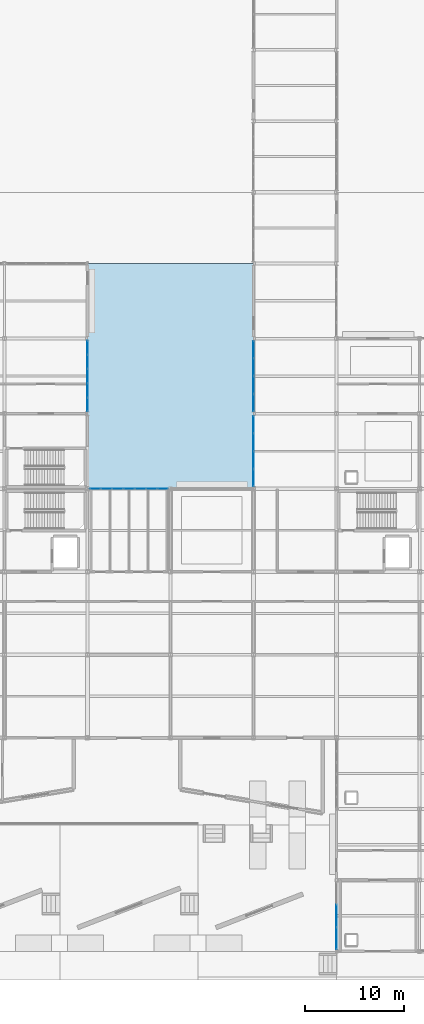
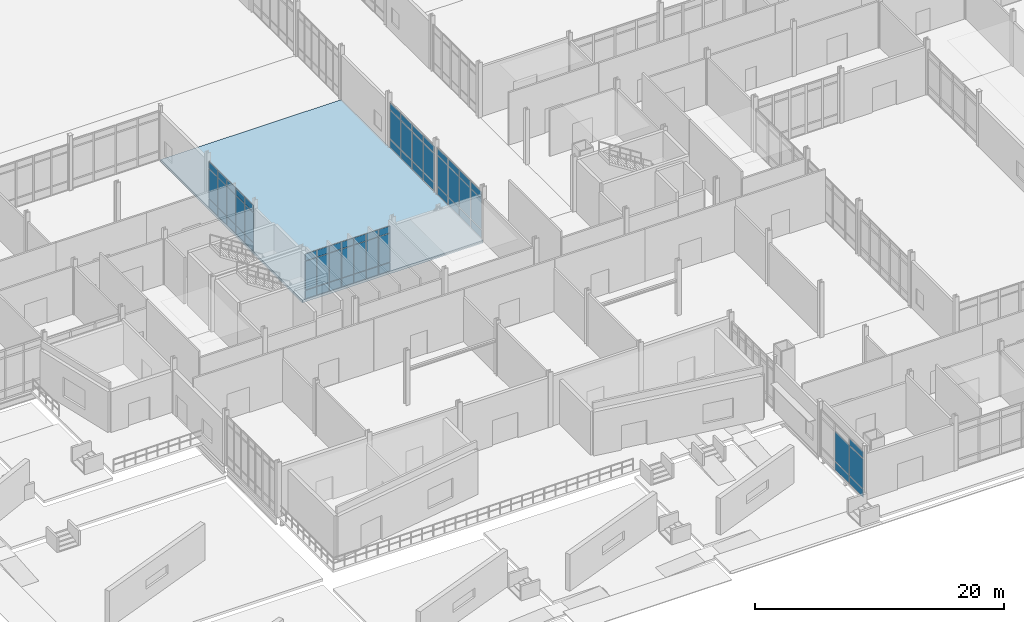
# One storey, part 140 of 229: 65 plates, 1 slab, 5 elements without a shape of their own.
"""IFC4 building model written with IfcOpenShell, lengths in metres."""

from ifc_helpers import new_model, si_unit, direction, frame, origin, origin_2d, place, context, subcontext, project, spatial, polyline, rectangle, outline, extrude, material, layer, layer_set, type_object, element, aggregate, save


model = new_model("IFC4")

# Units and contexts
model_context = context("Model", 3, precision=1e-05, world=origin(), true_north=direction((0.0, 1.0)))
body_context = subcontext(model_context, "Body", "Model", "MODEL_VIEW")
ifc_project = project(units=[si_unit("LENGTHUNIT", "METRE"), si_unit("AREAUNIT", "SQUARE_METRE"), si_unit("VOLUMEUNIT", "CUBIC_METRE"), si_unit("PLANEANGLEUNIT", "RADIAN"), si_unit("MASSUNIT", "GRAM", prefix="KILO")], contexts=[model_context])

# Site, building, storey
site_placement = place(None, origin())
site = spatial("IfcSite", under=ifc_project, at=site_placement, CompositionType="ELEMENT")
building_placement = place(site_placement, origin())
building = spatial("IfcBuilding", under=site, at=building_placement, Name="Calvrana Isthmian Art Gallery", CompositionType="ELEMENT")
storey_placement = place(building_placement, origin())
storey = spatial("IfcBuildingStorey", under=building, at=storey_placement, Name="L00", CompositionType="ELEMENT", Elevation=0.0)

# Curtain wall, plates
ifc_material_1 = material(Name="Anodized bronze aluminium 6063-T6", Category="aluminium")
ifc_layer_1 = layer(ifc_material_1, 0.179931640625, Name="Anodized bronze aluminium 6063-T6")
ifc_layer_set_1 = layer_set([ifc_layer_1], Name="Anodized bronze aluminium 6063-T6")
curtain_wall_type_1 = type_object("IfcCurtainWallType", Name="CW-STICK-080X45", PredefinedType="NOTDEFINED", material=ifc_layer_set_1)
curtain_wall_1_placement = place(storey_placement, origin())
curtain_wall_1 = element("IfcCurtainWall", 1, at=curtain_wall_1_placement, inside=storey, type_object=curtain_wall_type_1, Name="Curtain wall CW-020", PredefinedType="NOTDEFINED")
ifc_material_2 = material(Name="Polychrome glazed terracotta", Category="masonry")
ifc_layer_2 = layer(ifc_material_2, 0.033935546875, Name="Polychrome glazed terracotta")
ifc_layer_set_2 = layer_set([ifc_layer_2], Name="Polychrome glazed terracotta")
plate_type_1 = type_object("IfcPlateType", Name="CWP-SPANDREL-34", PredefinedType="CURTAIN_PANEL", material=ifc_layer_set_2)
plate_1_placement = place(storey_placement, frame((39.188232421875, 46.800048828125, 0.06005859375), z_axis=(0.0, 0.0, 1.0), x_axis=(1.0, 0.0, 0.0)))
plate_1 = element("IfcPlate", 2, at=plate_1_placement, type_object=plate_type_1, Name="CW-020 panel 1.1", PredefinedType="CURTAIN_PANEL", context=body_context, shape_type="SweptSolid", body=[
    extrude(rectangle(XDim=1.04541015625, YDim=0.033935546875, at=origin_2d()), origin(), (0.0, 0.0, 1.0), 0.81005859375),
])
plate_2_placement = place(storey_placement, frame((39.188232421875, 46.800048828125, 0.929931640625), z_axis=(0.0, 0.0, 1.0), x_axis=(1.0, 0.0, 0.0)))
plate_2 = element("IfcPlate", 3, at=plate_2_placement, type_object=plate_type_1, Name="CW-020 panel 1.2", PredefinedType="CURTAIN_PANEL", context=body_context, shape_type="SweptSolid", body=[
    extrude(rectangle(XDim=1.04541015625, YDim=0.033935546875, at=origin_2d()), origin(), (0.0, 0.0, 1.0), 2.80810546875),
])
plate_3_placement = place(storey_placement, frame((39.188232421875, 46.800048828125, 3.7978515625), z_axis=(0.0, 0.0, 1.0), x_axis=(1.0, 0.0, 0.0)))
plate_3 = element("IfcPlate", 4, at=plate_3_placement, type_object=plate_type_1, Name="CW-020 panel 1.3", PredefinedType="CURTAIN_PANEL", context=body_context, shape_type="SweptSolid", body=[
    extrude(rectangle(XDim=1.04541015625, YDim=0.033935546875, at=origin_2d()), origin(), (0.0, 0.0, 1.0), 0.659912109375),
])
plate_4_placement = place(storey_placement, frame((40.314697265625, 46.800048828125, 0.06005859375), z_axis=(0.0, 0.0, 1.0), x_axis=(1.0, 0.0, 0.0)))
plate_4 = element("IfcPlate", 5, at=plate_4_placement, type_object=plate_type_1, Name="CW-020 panel 2.1", PredefinedType="CURTAIN_PANEL", context=body_context, shape_type="SweptSolid", body=[
    extrude(rectangle(XDim=1.077880859375, YDim=0.033935546875, at=origin_2d()), origin(), (0.0, 0.0, 1.0), 0.81005859375),
])
plate_5_placement = place(storey_placement, frame((40.314697265625, 46.800048828125, 0.929931640625), z_axis=(0.0, 0.0, 1.0), x_axis=(1.0, 0.0, 0.0)))
plate_5 = element("IfcPlate", 6, at=plate_5_placement, type_object=plate_type_1, Name="CW-020 panel 2.2", PredefinedType="CURTAIN_PANEL", context=body_context, shape_type="SweptSolid", body=[
    extrude(rectangle(XDim=1.077880859375, YDim=0.033935546875, at=origin_2d()), origin(), (0.0, 0.0, 1.0), 2.80810546875),
])
plate_6_placement = place(storey_placement, frame((40.314697265625, 46.800048828125, 3.7978515625), z_axis=(0.0, 0.0, 1.0), x_axis=(1.0, 0.0, 0.0)))
plate_6 = element("IfcPlate", 7, at=plate_6_placement, type_object=plate_type_1, Name="CW-020 panel 2.3", PredefinedType="CURTAIN_PANEL", context=body_context, shape_type="SweptSolid", body=[
    extrude(rectangle(XDim=1.077880859375, YDim=0.033935546875, at=origin_2d()), origin(), (0.0, 0.0, 1.0), 0.659912109375),
])
plate_7_placement = place(storey_placement, frame((41.457763671875, 46.800048828125, 0.06005859375), z_axis=(0.0, 0.0, 1.0), x_axis=(1.0, 0.0, 0.0)))
plate_7 = element("IfcPlate", 8, at=plate_7_placement, type_object=plate_type_1, Name="CW-020 panel 3.1", PredefinedType="CURTAIN_PANEL", context=body_context, shape_type="SweptSolid", body=[
    extrude(rectangle(XDim=1.077880859375, YDim=0.033935546875, at=origin_2d()), origin(), (0.0, 0.0, 1.0), 0.81005859375),
])
plate_8_placement = place(storey_placement, frame((41.457763671875, 46.800048828125, 0.929931640625), z_axis=(0.0, 0.0, 1.0), x_axis=(1.0, 0.0, 0.0)))
plate_8 = element("IfcPlate", 9, at=plate_8_placement, type_object=plate_type_1, Name="CW-020 panel 3.2", PredefinedType="CURTAIN_PANEL", context=body_context, shape_type="SweptSolid", body=[
    extrude(rectangle(XDim=1.077880859375, YDim=0.033935546875, at=origin_2d()), origin(), (0.0, 0.0, 1.0), 2.80810546875),
])
plate_9_placement = place(storey_placement, frame((41.457763671875, 46.800048828125, 3.7978515625), z_axis=(0.0, 0.0, 1.0), x_axis=(1.0, 0.0, 0.0)))
plate_9 = element("IfcPlate", 10, at=plate_9_placement, type_object=plate_type_1, Name="CW-020 panel 3.3", PredefinedType="CURTAIN_PANEL", context=body_context, shape_type="SweptSolid", body=[
    extrude(rectangle(XDim=1.077880859375, YDim=0.033935546875, at=origin_2d()), origin(), (0.0, 0.0, 1.0), 0.659912109375),
])
plate_10_placement = place(storey_placement, frame((42.6005859375, 46.800048828125, 0.06005859375), z_axis=(0.0, 0.0, 1.0), x_axis=(1.0, 0.0, 0.0)))
plate_10 = element("IfcPlate", 11, at=plate_10_placement, type_object=plate_type_1, Name="CW-020 panel 4.1", PredefinedType="CURTAIN_PANEL", context=body_context, shape_type="SweptSolid", body=[
    extrude(rectangle(XDim=1.077880859375, YDim=0.033935546875, at=origin_2d()), origin(), (0.0, 0.0, 1.0), 0.81005859375),
])
plate_11_placement = place(storey_placement, frame((42.6005859375, 46.800048828125, 0.929931640625), z_axis=(0.0, 0.0, 1.0), x_axis=(1.0, 0.0, 0.0)))
plate_11 = element("IfcPlate", 12, at=plate_11_placement, type_object=plate_type_1, Name="CW-020 panel 4.2", PredefinedType="CURTAIN_PANEL", context=body_context, shape_type="SweptSolid", body=[
    extrude(rectangle(XDim=1.077880859375, YDim=0.033935546875, at=origin_2d()), origin(), (0.0, 0.0, 1.0), 2.80810546875),
])
plate_12_placement = place(storey_placement, frame((42.6005859375, 46.800048828125, 3.7978515625), z_axis=(0.0, 0.0, 1.0), x_axis=(1.0, 0.0, 0.0)))
plate_12 = element("IfcPlate", 13, at=plate_12_placement, type_object=plate_type_1, Name="CW-020 panel 4.3", PredefinedType="CURTAIN_PANEL", context=body_context, shape_type="SweptSolid", body=[
    extrude(rectangle(XDim=1.077880859375, YDim=0.033935546875, at=origin_2d()), origin(), (0.0, 0.0, 1.0), 0.659912109375),
])
plate_13_placement = place(storey_placement, frame((43.743408203125, 46.800048828125, 0.06005859375), z_axis=(0.0, 0.0, 1.0), x_axis=(1.0, 0.0, 0.0)))
plate_13 = element("IfcPlate", 14, at=plate_13_placement, type_object=plate_type_1, Name="CW-020 panel 5.1", PredefinedType="CURTAIN_PANEL", context=body_context, shape_type="SweptSolid", body=[
    extrude(rectangle(XDim=1.077880859375, YDim=0.033935546875, at=origin_2d()), origin(), (0.0, 0.0, 1.0), 0.81005859375),
])
plate_14_placement = place(storey_placement, frame((43.743408203125, 46.800048828125, 0.929931640625), z_axis=(0.0, 0.0, 1.0), x_axis=(1.0, 0.0, 0.0)))
plate_14 = element("IfcPlate", 15, at=plate_14_placement, type_object=plate_type_1, Name="CW-020 panel 5.2", PredefinedType="CURTAIN_PANEL", context=body_context, shape_type="SweptSolid", body=[
    extrude(rectangle(XDim=1.077880859375, YDim=0.033935546875, at=origin_2d()), origin(), (0.0, 0.0, 1.0), 2.80810546875),
])
plate_15_placement = place(storey_placement, frame((43.743408203125, 46.800048828125, 3.7978515625), z_axis=(0.0, 0.0, 1.0), x_axis=(1.0, 0.0, 0.0)))
plate_15 = element("IfcPlate", 16, at=plate_15_placement, type_object=plate_type_1, Name="CW-020 panel 5.3", PredefinedType="CURTAIN_PANEL", context=body_context, shape_type="SweptSolid", body=[
    extrude(rectangle(XDim=1.077880859375, YDim=0.033935546875, at=origin_2d()), origin(), (0.0, 0.0, 1.0), 0.659912109375),
])
plate_16_placement = place(storey_placement, frame((44.88623046875, 46.800048828125, 0.06005859375), z_axis=(0.0, 0.0, 1.0), x_axis=(1.0, 0.0, 0.0)))
plate_16 = element("IfcPlate", 17, at=plate_16_placement, type_object=plate_type_1, Name="CW-020 panel 6.1", PredefinedType="CURTAIN_PANEL", context=body_context, shape_type="SweptSolid", body=[
    extrude(rectangle(XDim=1.077880859375, YDim=0.033935546875, at=origin_2d()), origin(), (0.0, 0.0, 1.0), 0.81005859375),
])
plate_17_placement = place(storey_placement, frame((44.88623046875, 46.800048828125, 0.929931640625), z_axis=(0.0, 0.0, 1.0), x_axis=(1.0, 0.0, 0.0)))
plate_17 = element("IfcPlate", 18, at=plate_17_placement, type_object=plate_type_1, Name="CW-020 panel 6.2", PredefinedType="CURTAIN_PANEL", context=body_context, shape_type="SweptSolid", body=[
    extrude(rectangle(XDim=1.077880859375, YDim=0.033935546875, at=origin_2d()), origin(), (0.0, 0.0, 1.0), 2.80810546875),
])
plate_18_placement = place(storey_placement, frame((44.88623046875, 46.800048828125, 3.7978515625), z_axis=(0.0, 0.0, 1.0), x_axis=(1.0, 0.0, 0.0)))
plate_18 = element("IfcPlate", 19, at=plate_18_placement, type_object=plate_type_1, Name="CW-020 panel 6.3", PredefinedType="CURTAIN_PANEL", context=body_context, shape_type="SweptSolid", body=[
    extrude(rectangle(XDim=1.077880859375, YDim=0.033935546875, at=origin_2d()), origin(), (0.0, 0.0, 1.0), 0.659912109375),
])
plate_19_placement = place(storey_placement, frame((46.012939453125, 46.800048828125, 0.06005859375), z_axis=(0.0, 0.0, 1.0), x_axis=(1.0, 0.0, 0.0)))
plate_19 = element("IfcPlate", 20, at=plate_19_placement, type_object=plate_type_1, Name="CW-020 panel 7.1", PredefinedType="CURTAIN_PANEL", context=body_context, shape_type="SweptSolid", body=[
    extrude(rectangle(XDim=1.04541015625, YDim=0.033935546875, at=origin_2d()), origin(), (0.0, 0.0, 1.0), 0.81005859375),
])
plate_20_placement = place(storey_placement, frame((46.012939453125, 46.800048828125, 0.929931640625), z_axis=(0.0, 0.0, 1.0), x_axis=(1.0, 0.0, 0.0)))
plate_20 = element("IfcPlate", 21, at=plate_20_placement, type_object=plate_type_1, Name="CW-020 panel 7.2", PredefinedType="CURTAIN_PANEL", context=body_context, shape_type="SweptSolid", body=[
    extrude(rectangle(XDim=1.04541015625, YDim=0.033935546875, at=origin_2d()), origin(), (0.0, 0.0, 1.0), 2.80810546875),
])
plate_21_placement = place(storey_placement, frame((46.012939453125, 46.800048828125, 3.7978515625), z_axis=(0.0, 0.0, 1.0), x_axis=(1.0, 0.0, 0.0)))
plate_21 = element("IfcPlate", 22, at=plate_21_placement, type_object=plate_type_1, Name="CW-020 panel 7.3", PredefinedType="CURTAIN_PANEL", context=body_context, shape_type="SweptSolid", body=[
    extrude(rectangle(XDim=1.04541015625, YDim=0.033935546875, at=origin_2d()), origin(), (0.0, 0.0, 1.0), 0.659912109375),
])
aggregate(curtain_wall_1, [plate_1, plate_2, plate_3, plate_4, plate_5, plate_6, plate_7, plate_8, plate_9, plate_10, plate_11, plate_12, plate_13, plate_14, plate_15, plate_16, plate_17, plate_18, plate_19, plate_20, plate_21])

ifc_layer_3 = layer(ifc_material_1, 0.179931640625, Name="Anodized bronze aluminium 6063-T6")
ifc_layer_set_3 = layer_set([ifc_layer_3], Name="Anodized bronze aluminium 6063-T6")
curtain_wall_type_2 = type_object("IfcCurtainWallType", Name="CW-UNIT-072X46", PredefinedType="USERDEFINED", material=ifc_layer_set_3)
curtain_wall_2_placement = place(storey_placement, origin())
curtain_wall_2 = element("IfcCurtainWall", 23, at=curtain_wall_2_placement, inside=storey, type_object=curtain_wall_type_2, Name="Curtain wall CW-057", ObjectType="UNITISED CURTAIN WALL", PredefinedType="USERDEFINED")
ifc_material_3 = material(Name="Low-E laminated solar glass", Category="glass")
ifc_layer_4 = layer(ifc_material_3, 0.028076171875, Name="Low-E laminated solar glass")
ifc_layer_set_4 = layer_set([ifc_layer_4], Name="Low-E laminated solar glass")
plate_type_2 = type_object("IfcPlateType", Name="CWP-VISION-28", PredefinedType="CURTAIN_PANEL", material=ifc_layer_set_4)
plate_22_placement = place(storey_placement, frame((38.39990234375, 61.0810546875, 0.06494140625), z_axis=(0.0, 0.0, 1.0), x_axis=(0.0, -1.0, 0.0)))
plate_22 = element("IfcPlate", 24, at=plate_22_placement, type_object=plate_type_2, Name="CW-057 panel 1.1", PredefinedType="CURTAIN_PANEL", context=body_context, shape_type="SweptSolid", body=[
    extrude(rectangle(XDim=1.342041015625, YDim=0.028076171875, at=origin_2d()), origin(), (0.0, 0.0, 1.0), 0.802490234375),
])
plate_23_placement = place(storey_placement, frame((38.39990234375, 61.0810546875, 0.932373046875), z_axis=(0.0, 0.0, 1.0), x_axis=(0.0, -1.0, 0.0)))
plate_23 = element("IfcPlate", 25, at=plate_23_placement, type_object=plate_type_2, Name="CW-057 panel 1.2", PredefinedType="CURTAIN_PANEL", context=body_context, shape_type="SweptSolid", body=[
    extrude(rectangle(XDim=1.342041015625, YDim=0.028076171875, at=origin_2d()), origin(), (0.0, 0.0, 1.0), 2.89208984375),
])
plate_24_placement = place(storey_placement, frame((38.39990234375, 61.0810546875, 3.8896484375), z_axis=(0.0, 0.0, 1.0), x_axis=(0.0, -1.0, 0.0)))
plate_24 = element("IfcPlate", 26, at=plate_24_placement, type_object=plate_type_2, Name="CW-057 panel 1.3", PredefinedType="CURTAIN_PANEL", context=body_context, shape_type="SweptSolid", body=[
    extrude(rectangle(XDim=1.342041015625, YDim=0.028076171875, at=origin_2d()), origin(), (0.0, 0.0, 1.0), 0.652587890625),
])
plate_25_placement = place(storey_placement, frame((38.39990234375, 59.6513671875, 0.06494140625), z_axis=(0.0, 0.0, 1.0), x_axis=(0.0, -1.0, 0.0)))
plate_25 = element("IfcPlate", 27, at=plate_25_placement, type_object=plate_type_2, Name="CW-057 panel 2.1", PredefinedType="CURTAIN_PANEL", context=body_context, shape_type="SweptSolid", body=[
    extrude(rectangle(XDim=1.377197265625, YDim=0.028076171875, at=origin_2d()), origin(), (0.0, 0.0, 1.0), 0.802490234375),
])
plate_26_placement = place(storey_placement, frame((38.39990234375, 59.6513671875, 0.932373046875), z_axis=(0.0, 0.0, 1.0), x_axis=(0.0, -1.0, 0.0)))
plate_26 = element("IfcPlate", 28, at=plate_26_placement, type_object=plate_type_2, Name="CW-057 panel 2.2", PredefinedType="CURTAIN_PANEL", context=body_context, shape_type="SweptSolid", body=[
    extrude(rectangle(XDim=1.377197265625, YDim=0.028076171875, at=origin_2d()), origin(), (0.0, 0.0, 1.0), 2.89208984375),
])
plate_27_placement = place(storey_placement, frame((38.39990234375, 59.6513671875, 3.8896484375), z_axis=(0.0, 0.0, 1.0), x_axis=(0.0, -1.0, 0.0)))
plate_27 = element("IfcPlate", 29, at=plate_27_placement, type_object=plate_type_2, Name="CW-057 panel 2.3", PredefinedType="CURTAIN_PANEL", context=body_context, shape_type="SweptSolid", body=[
    extrude(rectangle(XDim=1.377197265625, YDim=0.028076171875, at=origin_2d()), origin(), (0.0, 0.0, 1.0), 0.652587890625),
])
plate_28_placement = place(storey_placement, frame((38.39990234375, 58.204345703125, 0.06494140625), z_axis=(0.0, 0.0, 1.0), x_axis=(0.0, -1.0, 0.0)))
plate_28 = element("IfcPlate", 30, at=plate_28_placement, type_object=plate_type_2, Name="CW-057 panel 3.1", PredefinedType="CURTAIN_PANEL", context=body_context, shape_type="SweptSolid", body=[
    extrude(rectangle(XDim=1.377197265625, YDim=0.028076171875, at=origin_2d()), origin(), (0.0, 0.0, 1.0), 0.802490234375),
])
plate_29_placement = place(storey_placement, frame((38.39990234375, 58.204345703125, 0.932373046875), z_axis=(0.0, 0.0, 1.0), x_axis=(0.0, -1.0, 0.0)))
plate_29 = element("IfcPlate", 31, at=plate_29_placement, type_object=plate_type_2, Name="CW-057 panel 3.2", PredefinedType="CURTAIN_PANEL", context=body_context, shape_type="SweptSolid", body=[
    extrude(rectangle(XDim=1.377197265625, YDim=0.028076171875, at=origin_2d()), origin(), (0.0, 0.0, 1.0), 2.89208984375),
])
plate_30_placement = place(storey_placement, frame((38.39990234375, 58.204345703125, 3.8896484375), z_axis=(0.0, 0.0, 1.0), x_axis=(0.0, -1.0, 0.0)))
plate_30 = element("IfcPlate", 32, at=plate_30_placement, type_object=plate_type_2, Name="CW-057 panel 3.3", PredefinedType="CURTAIN_PANEL", context=body_context, shape_type="SweptSolid", body=[
    extrude(rectangle(XDim=1.377197265625, YDim=0.028076171875, at=origin_2d()), origin(), (0.0, 0.0, 1.0), 0.652587890625),
])
plate_31_placement = place(storey_placement, frame((38.39990234375, 56.757080078125, 0.06494140625), z_axis=(0.0, 0.0, 1.0), x_axis=(0.0, -1.0, 0.0)))
plate_31 = element("IfcPlate", 33, at=plate_31_placement, type_object=plate_type_2, Name="CW-057 panel 4.1", PredefinedType="CURTAIN_PANEL", context=body_context, shape_type="SweptSolid", body=[
    extrude(rectangle(XDim=1.377197265625, YDim=0.028076171875, at=origin_2d()), origin(), (0.0, 0.0, 1.0), 0.802490234375),
])
plate_32_placement = place(storey_placement, frame((38.39990234375, 56.757080078125, 0.932373046875), z_axis=(0.0, 0.0, 1.0), x_axis=(0.0, -1.0, 0.0)))
plate_32 = element("IfcPlate", 34, at=plate_32_placement, type_object=plate_type_2, Name="CW-057 panel 4.2", PredefinedType="CURTAIN_PANEL", context=body_context, shape_type="SweptSolid", body=[
    extrude(rectangle(XDim=1.377197265625, YDim=0.028076171875, at=origin_2d()), origin(), (0.0, 0.0, 1.0), 2.89208984375),
])
plate_33_placement = place(storey_placement, frame((38.39990234375, 56.757080078125, 3.8896484375), z_axis=(0.0, 0.0, 1.0), x_axis=(0.0, -1.0, 0.0)))
plate_33 = element("IfcPlate", 35, at=plate_33_placement, type_object=plate_type_2, Name="CW-057 panel 4.3", PredefinedType="CURTAIN_PANEL", context=body_context, shape_type="SweptSolid", body=[
    extrude(rectangle(XDim=1.377197265625, YDim=0.028076171875, at=origin_2d()), origin(), (0.0, 0.0, 1.0), 0.652587890625),
])
plate_34_placement = place(storey_placement, frame((38.39990234375, 55.32763671875, 0.06494140625), z_axis=(0.0, 0.0, 1.0), x_axis=(0.0, -1.0, 0.0)))
plate_34 = element("IfcPlate", 36, at=plate_34_placement, type_object=plate_type_2, Name="CW-057 panel 5.1", PredefinedType="CURTAIN_PANEL", context=body_context, shape_type="SweptSolid", body=[
    extrude(rectangle(XDim=1.342041015625, YDim=0.028076171875, at=origin_2d()), origin(), (0.0, 0.0, 1.0), 0.802490234375),
])
plate_35_placement = place(storey_placement, frame((38.39990234375, 55.32763671875, 0.932373046875), z_axis=(0.0, 0.0, 1.0), x_axis=(0.0, -1.0, 0.0)))
plate_35 = element("IfcPlate", 37, at=plate_35_placement, type_object=plate_type_2, Name="CW-057 panel 5.2", PredefinedType="CURTAIN_PANEL", context=body_context, shape_type="SweptSolid", body=[
    extrude(rectangle(XDim=1.342041015625, YDim=0.028076171875, at=origin_2d()), origin(), (0.0, 0.0, 1.0), 2.89208984375),
])
plate_36_placement = place(storey_placement, frame((38.39990234375, 55.32763671875, 3.8896484375), z_axis=(0.0, 0.0, 1.0), x_axis=(0.0, -1.0, 0.0)))
plate_36 = element("IfcPlate", 38, at=plate_36_placement, type_object=plate_type_2, Name="CW-057 panel 5.3", PredefinedType="CURTAIN_PANEL", context=body_context, shape_type="SweptSolid", body=[
    extrude(rectangle(XDim=1.342041015625, YDim=0.028076171875, at=origin_2d()), origin(), (0.0, 0.0, 1.0), 0.652587890625),
])
aggregate(curtain_wall_2, [plate_22, plate_23, plate_24, plate_25, plate_26, plate_27, plate_28, plate_29, plate_30, plate_31, plate_32, plate_33, plate_34, plate_35, plate_36])

ifc_layer_5 = layer(ifc_material_1, 0.179931640625, Name="Anodized bronze aluminium 6063-T6")
ifc_layer_set_5 = layer_set([ifc_layer_5], Name="Anodized bronze aluminium 6063-T6")
curtain_wall_type_3 = type_object("IfcCurtainWallType", Name="CW-STICK-072X47", PredefinedType="NOTDEFINED", material=ifc_layer_set_5)
curtain_wall_3_placement = place(storey_placement, origin())
curtain_wall_3 = element("IfcCurtainWall", 39, at=curtain_wall_3_placement, inside=storey, type_object=curtain_wall_type_3, Name="Curtain wall CW-058", PredefinedType="NOTDEFINED")
plate_37_placement = place(storey_placement, frame((55.199951171875, 47.923583984375, 0.070068359375), z_axis=(0.0, 0.0, 1.0), x_axis=(0.0, 1.0, 0.0)))
plate_37 = element("IfcPlate", 40, at=plate_37_placement, type_object=plate_type_2, Name="CW-058 panel 1.1", PredefinedType="CURTAIN_PANEL", context=body_context, shape_type="SweptSolid", body=[
    extrude(rectangle(XDim=1.69140625, YDim=0.028076171875, at=origin_2d()), origin(), (0.0, 0.0, 1.0), 0.794921875),
])
plate_38_placement = place(storey_placement, frame((55.199951171875, 47.923583984375, 0.93505859375), z_axis=(0.0, 0.0, 1.0), x_axis=(0.0, 1.0, 0.0)))
plate_38 = element("IfcPlate", 41, at=plate_38_placement, type_object=plate_type_2, Name="CW-058 panel 1.2", PredefinedType="CURTAIN_PANEL", context=body_context, shape_type="SweptSolid", body=[
    extrude(rectangle(XDim=1.69140625, YDim=0.028076171875, at=origin_2d()), origin(), (0.0, 0.0, 1.0), 2.9580078125),
])
plate_39_placement = place(storey_placement, frame((55.199951171875, 47.923583984375, 3.962890625), z_axis=(0.0, 0.0, 1.0), x_axis=(0.0, 1.0, 0.0)))
plate_39 = element("IfcPlate", 42, at=plate_39_placement, type_object=plate_type_2, Name="CW-058 panel 1.3", PredefinedType="CURTAIN_PANEL", context=body_context, shape_type="SweptSolid", body=[
    extrude(rectangle(XDim=1.69140625, YDim=0.028076171875, at=origin_2d()), origin(), (0.0, 0.0, 1.0), 0.64501953125),
])
plate_40_placement = place(storey_placement, frame((55.199951171875, 49.708740234375, 0.070068359375), z_axis=(0.0, 0.0, 1.0), x_axis=(0.0, 1.0, 0.0)))
plate_40 = element("IfcPlate", 43, at=plate_40_placement, type_object=plate_type_2, Name="CW-058 panel 2.1", PredefinedType="CURTAIN_PANEL", context=body_context, shape_type="SweptSolid", body=[
    extrude(rectangle(XDim=1.728759765625, YDim=0.028076171875, at=origin_2d()), origin(), (0.0, 0.0, 1.0), 0.794921875),
])
plate_41_placement = place(storey_placement, frame((55.199951171875, 49.708740234375, 0.93505859375), z_axis=(0.0, 0.0, 1.0), x_axis=(0.0, 1.0, 0.0)))
plate_41 = element("IfcPlate", 44, at=plate_41_placement, type_object=plate_type_2, Name="CW-058 panel 2.2", PredefinedType="CURTAIN_PANEL", context=body_context, shape_type="SweptSolid", body=[
    extrude(rectangle(XDim=1.728759765625, YDim=0.028076171875, at=origin_2d()), origin(), (0.0, 0.0, 1.0), 2.9580078125),
])
plate_42_placement = place(storey_placement, frame((55.199951171875, 49.708740234375, 3.962890625), z_axis=(0.0, 0.0, 1.0), x_axis=(0.0, 1.0, 0.0)))
plate_42 = element("IfcPlate", 45, at=plate_42_placement, type_object=plate_type_2, Name="CW-058 panel 2.3", PredefinedType="CURTAIN_PANEL", context=body_context, shape_type="SweptSolid", body=[
    extrude(rectangle(XDim=1.728759765625, YDim=0.028076171875, at=origin_2d()), origin(), (0.0, 0.0, 1.0), 0.64501953125),
])
plate_43_placement = place(storey_placement, frame((55.199951171875, 51.5126953125, 0.070068359375), z_axis=(0.0, 0.0, 1.0), x_axis=(0.0, 1.0, 0.0)))
plate_43 = element("IfcPlate", 46, at=plate_43_placement, type_object=plate_type_2, Name="CW-058 panel 3.1", PredefinedType="CURTAIN_PANEL", context=body_context, shape_type="SweptSolid", body=[
    extrude(rectangle(XDim=1.728759765625, YDim=0.028076171875, at=origin_2d()), origin(), (0.0, 0.0, 1.0), 0.794921875),
])
plate_44_placement = place(storey_placement, frame((55.199951171875, 51.5126953125, 0.93505859375), z_axis=(0.0, 0.0, 1.0), x_axis=(0.0, 1.0, 0.0)))
plate_44 = element("IfcPlate", 47, at=plate_44_placement, type_object=plate_type_2, Name="CW-058 panel 3.2", PredefinedType="CURTAIN_PANEL", context=body_context, shape_type="SweptSolid", body=[
    extrude(rectangle(XDim=1.728759765625, YDim=0.028076171875, at=origin_2d()), origin(), (0.0, 0.0, 1.0), 2.9580078125),
])
plate_45_placement = place(storey_placement, frame((55.199951171875, 51.5126953125, 3.962890625), z_axis=(0.0, 0.0, 1.0), x_axis=(0.0, 1.0, 0.0)))
plate_45 = element("IfcPlate", 48, at=plate_45_placement, type_object=plate_type_2, Name="CW-058 panel 3.3", PredefinedType="CURTAIN_PANEL", context=body_context, shape_type="SweptSolid", body=[
    extrude(rectangle(XDim=1.728759765625, YDim=0.028076171875, at=origin_2d()), origin(), (0.0, 0.0, 1.0), 0.64501953125),
])
plate_46_placement = place(storey_placement, frame((55.199951171875, 53.2978515625, 0.070068359375), z_axis=(0.0, 0.0, 1.0), x_axis=(0.0, 1.0, 0.0)))
plate_46 = element("IfcPlate", 49, at=plate_46_placement, type_object=plate_type_2, Name="CW-058 panel 4.1", PredefinedType="CURTAIN_PANEL", context=body_context, shape_type="SweptSolid", body=[
    extrude(rectangle(XDim=1.69140625, YDim=0.028076171875, at=origin_2d()), origin(), (0.0, 0.0, 1.0), 0.794921875),
])
plate_47_placement = place(storey_placement, frame((55.199951171875, 53.2978515625, 0.93505859375), z_axis=(0.0, 0.0, 1.0), x_axis=(0.0, 1.0, 0.0)))
plate_47 = element("IfcPlate", 50, at=plate_47_placement, type_object=plate_type_2, Name="CW-058 panel 4.2", PredefinedType="CURTAIN_PANEL", context=body_context, shape_type="SweptSolid", body=[
    extrude(rectangle(XDim=1.69140625, YDim=0.028076171875, at=origin_2d()), origin(), (0.0, 0.0, 1.0), 2.9580078125),
])
plate_48_placement = place(storey_placement, frame((55.199951171875, 53.2978515625, 3.962890625), z_axis=(0.0, 0.0, 1.0), x_axis=(0.0, 1.0, 0.0)))
plate_48 = element("IfcPlate", 51, at=plate_48_placement, type_object=plate_type_2, Name="CW-058 panel 4.3", PredefinedType="CURTAIN_PANEL", context=body_context, shape_type="SweptSolid", body=[
    extrude(rectangle(XDim=1.69140625, YDim=0.028076171875, at=origin_2d()), origin(), (0.0, 0.0, 1.0), 0.64501953125),
])
aggregate(curtain_wall_3, [plate_37, plate_38, plate_39, plate_40, plate_41, plate_42, plate_43, plate_44, plate_45, plate_46, plate_47, plate_48])

ifc_layer_6 = layer(ifc_material_1, 0.179931640625, Name="Anodized bronze aluminium 6063-T6")
ifc_layer_set_6 = layer_set([ifc_layer_6], Name="Anodized bronze aluminium 6063-T6")
curtain_wall_type_4 = type_object("IfcCurtainWallType", Name="CW-STICK-072X45", PredefinedType="NOTDEFINED", material=ifc_layer_set_6)
curtain_wall_4_placement = place(storey_placement, origin())
curtain_wall_4 = element("IfcCurtainWall", 52, at=curtain_wall_4_placement, inside=storey, type_object=curtain_wall_type_4, Name="Curtain wall CW-059", PredefinedType="NOTDEFINED")
plate_49_placement = place(storey_placement, frame((55.199951171875, 55.505859375, 0.074951171875), z_axis=(0.0, 0.0, 1.0), x_axis=(0.0, 1.0, 0.0)))
plate_49 = element("IfcPlate", 53, at=plate_49_placement, type_object=plate_type_2, Name="CW-059 panel 1.1", PredefinedType="CURTAIN_PANEL", context=body_context, shape_type="SweptSolid", body=[
    extrude(rectangle(XDim=1.688720703125, YDim=0.028076171875, at=origin_2d()), origin(), (0.0, 0.0, 1.0), 0.78759765625),
])
plate_50_placement = place(storey_placement, frame((55.199951171875, 55.505859375, 0.9375), z_axis=(0.0, 0.0, 1.0), x_axis=(0.0, 1.0, 0.0)))
plate_50 = element("IfcPlate", 54, at=plate_50_placement, type_object=plate_type_2, Name="CW-059 panel 1.2", PredefinedType="CURTAIN_PANEL", context=body_context, shape_type="SweptSolid", body=[
    extrude(rectangle(XDim=1.688720703125, YDim=0.028076171875, at=origin_2d()), origin(), (0.0, 0.0, 1.0), 2.802978515625),
])
plate_51_placement = place(storey_placement, frame((55.199951171875, 55.505859375, 3.8154296875), z_axis=(0.0, 0.0, 1.0), x_axis=(0.0, 1.0, 0.0)))
plate_51 = element("IfcPlate", 55, at=plate_51_placement, type_object=plate_type_2, Name="CW-059 panel 1.3", PredefinedType="CURTAIN_PANEL", context=body_context, shape_type="SweptSolid", body=[
    extrude(rectangle(XDim=1.688720703125, YDim=0.028076171875, at=origin_2d()), origin(), (0.0, 0.0, 1.0), 0.637451171875),
])
plate_52_placement = place(storey_placement, frame((55.199951171875, 57.29443359375, 0.074951171875), z_axis=(0.0, 0.0, 1.0), x_axis=(0.0, 1.0, 0.0)))
plate_52 = element("IfcPlate", 56, at=plate_52_placement, type_object=plate_type_2, Name="CW-059 panel 2.1", PredefinedType="CURTAIN_PANEL", context=body_context, shape_type="SweptSolid", body=[
    extrude(rectangle(XDim=1.728515625, YDim=0.028076171875, at=origin_2d()), origin(), (0.0, 0.0, 1.0), 0.78759765625),
])
plate_53_placement = place(storey_placement, frame((55.199951171875, 57.29443359375, 0.9375), z_axis=(0.0, 0.0, 1.0), x_axis=(0.0, 1.0, 0.0)))
plate_53 = element("IfcPlate", 57, at=plate_53_placement, type_object=plate_type_2, Name="CW-059 panel 2.2", PredefinedType="CURTAIN_PANEL", context=body_context, shape_type="SweptSolid", body=[
    extrude(rectangle(XDim=1.728515625, YDim=0.028076171875, at=origin_2d()), origin(), (0.0, 0.0, 1.0), 2.802978515625),
])
plate_54_placement = place(storey_placement, frame((55.199951171875, 57.29443359375, 3.8154296875), z_axis=(0.0, 0.0, 1.0), x_axis=(0.0, 1.0, 0.0)))
plate_54 = element("IfcPlate", 58, at=plate_54_placement, type_object=plate_type_2, Name="CW-059 panel 2.3", PredefinedType="CURTAIN_PANEL", context=body_context, shape_type="SweptSolid", body=[
    extrude(rectangle(XDim=1.728515625, YDim=0.028076171875, at=origin_2d()), origin(), (0.0, 0.0, 1.0), 0.637451171875),
])
plate_55_placement = place(storey_placement, frame((55.199951171875, 59.10302734375, 0.074951171875), z_axis=(0.0, 0.0, 1.0), x_axis=(0.0, 1.0, 0.0)))
plate_55 = element("IfcPlate", 59, at=plate_55_placement, type_object=plate_type_2, Name="CW-059 panel 3.1", PredefinedType="CURTAIN_PANEL", context=body_context, shape_type="SweptSolid", body=[
    extrude(rectangle(XDim=1.728515625, YDim=0.028076171875, at=origin_2d()), origin(), (0.0, 0.0, 1.0), 0.78759765625),
])
plate_56_placement = place(storey_placement, frame((55.199951171875, 59.10302734375, 0.9375), z_axis=(0.0, 0.0, 1.0), x_axis=(0.0, 1.0, 0.0)))
plate_56 = element("IfcPlate", 60, at=plate_56_placement, type_object=plate_type_2, Name="CW-059 panel 3.2", PredefinedType="CURTAIN_PANEL", context=body_context, shape_type="SweptSolid", body=[
    extrude(rectangle(XDim=1.728515625, YDim=0.028076171875, at=origin_2d()), origin(), (0.0, 0.0, 1.0), 2.802978515625),
])
plate_57_placement = place(storey_placement, frame((55.199951171875, 59.10302734375, 3.8154296875), z_axis=(0.0, 0.0, 1.0), x_axis=(0.0, 1.0, 0.0)))
plate_57 = element("IfcPlate", 61, at=plate_57_placement, type_object=plate_type_2, Name="CW-059 panel 3.3", PredefinedType="CURTAIN_PANEL", context=body_context, shape_type="SweptSolid", body=[
    extrude(rectangle(XDim=1.728515625, YDim=0.028076171875, at=origin_2d()), origin(), (0.0, 0.0, 1.0), 0.637451171875),
])
plate_58_placement = place(storey_placement, frame((55.199951171875, 60.8916015625, 0.074951171875), z_axis=(0.0, 0.0, 1.0), x_axis=(0.0, 1.0, 0.0)))
plate_58 = element("IfcPlate", 62, at=plate_58_placement, type_object=plate_type_2, Name="CW-059 panel 4.1", PredefinedType="CURTAIN_PANEL", context=body_context, shape_type="SweptSolid", body=[
    extrude(rectangle(XDim=1.688720703125, YDim=0.028076171875, at=origin_2d()), origin(), (0.0, 0.0, 1.0), 0.78759765625),
])
plate_59_placement = place(storey_placement, frame((55.199951171875, 60.8916015625, 0.9375), z_axis=(0.0, 0.0, 1.0), x_axis=(0.0, 1.0, 0.0)))
plate_59 = element("IfcPlate", 63, at=plate_59_placement, type_object=plate_type_2, Name="CW-059 panel 4.2", PredefinedType="CURTAIN_PANEL", context=body_context, shape_type="SweptSolid", body=[
    extrude(rectangle(XDim=1.688720703125, YDim=0.028076171875, at=origin_2d()), origin(), (0.0, 0.0, 1.0), 2.802978515625),
])
plate_60_placement = place(storey_placement, frame((55.199951171875, 60.8916015625, 3.8154296875), z_axis=(0.0, 0.0, 1.0), x_axis=(0.0, 1.0, 0.0)))
plate_60 = element("IfcPlate", 64, at=plate_60_placement, type_object=plate_type_2, Name="CW-059 panel 4.3", PredefinedType="CURTAIN_PANEL", context=body_context, shape_type="SweptSolid", body=[
    extrude(rectangle(XDim=1.688720703125, YDim=0.028076171875, at=origin_2d()), origin(), (0.0, 0.0, 1.0), 0.637451171875),
])
aggregate(curtain_wall_4, [plate_49, plate_50, plate_51, plate_52, plate_53, plate_54, plate_55, plate_56, plate_57, plate_58, plate_59, plate_60])

ifc_layer_7 = layer(ifc_material_1, 0.179931640625, Name="Anodized bronze aluminium 6063-T6")
ifc_layer_set_7 = layer_set([ifc_layer_7], Name="Anodized bronze aluminium 6063-T6")
curtain_wall_type_5 = type_object("IfcCurtainWallType", Name="CW-STICK-069X46", PredefinedType="NOTDEFINED", material=ifc_layer_set_7)
curtain_wall_5_placement = place(storey_placement, origin())
curtain_wall_5 = element("IfcCurtainWall", 65, at=curtain_wall_5_placement, inside=storey, type_object=curtain_wall_type_5, Name="Curtain wall CW-063", PredefinedType="NOTDEFINED")
plate_61_placement = place(storey_placement, frame((63.60009765625, 1.319091796875, 0.070068359375), z_axis=(0.0, 0.0, 1.0), x_axis=(0.0, 1.0, 0.0)))
plate_61 = element("IfcPlate", 66, at=plate_61_placement, type_object=plate_type_2, Name="CW-063 panel 1.1", PredefinedType="CURTAIN_PANEL", context=body_context, shape_type="SweptSolid", body=[
    extrude(rectangle(XDim=2.193359375, YDim=0.028076171875, at=origin_2d()), origin(), (0.0, 0.0, 1.0), 0.794921875),
])
plate_62_placement = place(storey_placement, frame((63.60009765625, 1.319091796875, 0.93505859375), z_axis=(0.0, 0.0, 1.0), x_axis=(0.0, 1.0, 0.0)))
plate_62 = element("IfcPlate", 67, at=plate_62_placement, type_object=plate_type_2, Name="CW-063 panel 1.2", PredefinedType="CURTAIN_PANEL", context=body_context, shape_type="SweptSolid", body=[
    extrude(rectangle(XDim=2.193359375, YDim=0.028076171875, at=origin_2d()), origin(), (0.0, 0.0, 1.0), 2.886962890625),
])
plate_63_placement = place(storey_placement, frame((63.60009765625, 1.319091796875, 3.89208984375), z_axis=(0.0, 0.0, 1.0), x_axis=(0.0, 1.0, 0.0)))
plate_63 = element("IfcPlate", 68, at=plate_63_placement, type_object=plate_type_2, Name="CW-063 panel 1.3", PredefinedType="CURTAIN_PANEL", context=body_context, shape_type="SweptSolid", body=[
    extrude(rectangle(XDim=2.193359375, YDim=0.028076171875, at=origin_2d()), origin(), (0.0, 0.0, 1.0), 0.64501953125),
])
plate_64_placement = place(storey_placement, frame((63.60009765625, 3.60009765625, 0.070068359375), z_axis=(0.0, 0.0, 1.0), x_axis=(0.0, 1.0, 0.0)))
plate_64 = element("IfcPlate", 69, at=plate_64_placement, type_object=plate_type_2, Name="CW-063 panel 2.1", PredefinedType="CURTAIN_PANEL", context=body_context, shape_type="SweptSolid", body=[
    extrude(rectangle(XDim=2.228515625, YDim=0.028076171875, at=origin_2d()), origin(), (0.0, 0.0, 1.0), 0.794921875),
])
plate_65_placement = place(storey_placement, frame((63.60009765625, 3.60009765625, 0.93505859375), z_axis=(0.0, 0.0, 1.0), x_axis=(0.0, 1.0, 0.0)))
plate_65 = element("IfcPlate", 70, at=plate_65_placement, type_object=plate_type_2, Name="CW-063 panel 2.2", PredefinedType="CURTAIN_PANEL", context=body_context, shape_type="SweptSolid", body=[
    extrude(rectangle(XDim=2.228515625, YDim=0.028076171875, at=origin_2d()), origin(), (0.0, 0.0, 1.0), 2.886962890625),
])
aggregate(curtain_wall_5, [plate_61, plate_62, plate_63, plate_64, plate_65])

# Slab
ifc_material_4 = material(Name="Concrete C40/50", Category="concrete")
ifc_layer_8 = layer(ifc_material_4, 0.199951171875, Name="Concrete C40/50")
ifc_layer_set_8 = layer_set([ifc_layer_8], Name="Concrete C40/50")
slab_type = type_object("IfcSlabType", Name="SLB-TER-200", PredefinedType="FLOOR", material=ifc_layer_set_8)
slab_placement = place(storey_placement, frame((0.0, 0.0, -0.25)))
element("IfcSlab", 71, at=slab_placement, inside=storey, type_object=slab_type, Name="Courtyard and entry plaza deck SLB_CYD_NC_SW", PredefinedType="FLOOR", context=body_context, shape_type="SweptSolid", body=[
    extrude(outline(polyline([(55.199951171875, 46.800048828125), (55.199951171875, 69.60009765625), (38.39990234375, 69.60009765625), (38.39990234375, 46.800048828125), (55.199951171875, 46.800048828125)])), origin(), (0.0, 0.0, 1.0), 0.25),
])

save(model, "model.ifc")
